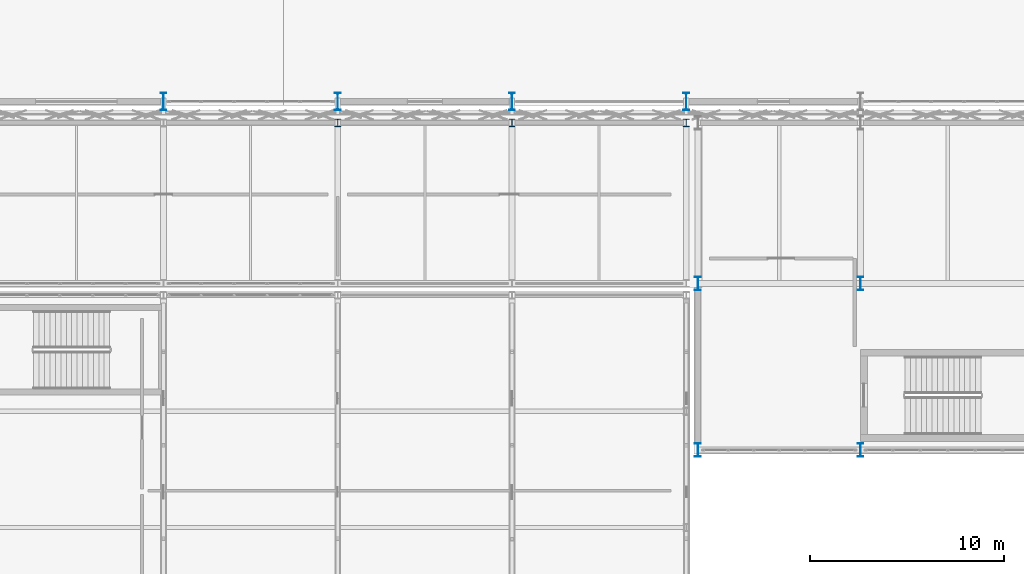
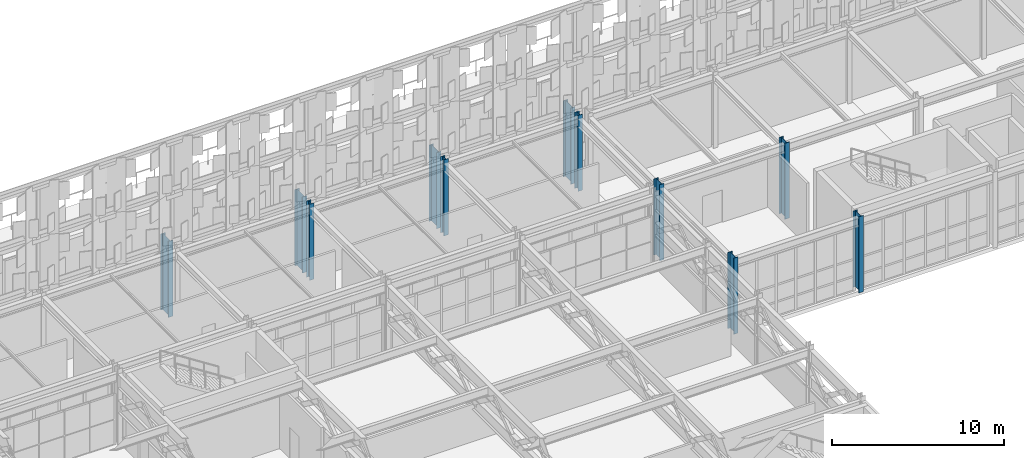
# One storey, part 4 of 210: 11 columns.
"""IFC4 building model written with IfcOpenShell, lengths in metres."""

from ifc_helpers import new_model, si_unit, direction, frame, origin, origin_2d, place, context, subcontext, project, spatial, i_section, extrude, material, material_profile, profile_set, type_object, element, save


model = new_model("IFC4")

# Units and contexts
model_context = context("Model", 3, precision=1e-05, world=origin(), true_north=direction((0.0, 1.0)))
body_context = subcontext(model_context, "Body", "Model", "MODEL_VIEW")
ifc_project = project(units=[si_unit("LENGTHUNIT", "METRE"), si_unit("AREAUNIT", "SQUARE_METRE"), si_unit("VOLUMEUNIT", "CUBIC_METRE"), si_unit("PLANEANGLEUNIT", "RADIAN"), si_unit("MASSUNIT", "GRAM", prefix="KILO")], contexts=[model_context])

# Site, building, storey
site_placement = place(None, origin())
site = spatial("IfcSite", under=ifc_project, at=site_placement, CompositionType="ELEMENT")
building_placement = place(site_placement, origin())
building = spatial("IfcBuilding", under=site, at=building_placement, Name="Kaldris Quays Convention Centre", CompositionType="ELEMENT")
storey_placement = place(building_placement, frame((0.0, 0.0, 6.0)))
storey = spatial("IfcBuildingStorey", under=building, at=storey_placement, Name="L01", CompositionType="ELEMENT", Elevation=6.0)

# Columns
ifc_material = material(Name="Steel S355J2", Category="steel")
ifc_material_profile_1 = material_profile(ifc_material, i_section(OverallWidth=0.300048828125, OverallDepth=0.89990234375, WebThickness=0.0185546875, FlangeThickness=0.034912109375, FilletRadius=0.030029296875, at=origin_2d()), Name="HEB 900")
ifc_profile_set_1 = profile_set([ifc_material_profile_1], Name="Steel S355J2")
column_type_1 = type_object("IfcColumnType", Name="STRUCTURAL COLUMN CL03", PredefinedType="COLUMN", material=ifc_profile_set_1)
for number, where, z_axis, x_axis, name in (
    (1, (56.0, 56.0, 0.0), (0.0, 0.0, 1.0), (1.0, 0.0, 0.0), "L01 V1 Column CL03 (56.00, 56.00)"),
    (2, (65.0, 56.0, 0.0), (0.0, 0.0, 1.0), (1.0, 0.0, 0.0), "L01 V1 Column CL03 (65.00, 56.00)"),
    (3, (74.0, 56.0, 0.0), (0.0, 0.0, 1.0), (1.0, 0.0, 0.0), "L01 V1 Column CL03 (74.00, 56.00)"),
    (4, (83.0, 56.0, 0.0), (0.0, 0.0, 1.0), (1.0, 0.0, 0.0), "L01 V1 Column CL03 (83.00, 56.00)"),
):
    element("IfcColumn", number, at=place(storey_placement, frame(where, z_axis=z_axis, x_axis=x_axis)), inside=storey, type_object=column_type_1, Name=name, PredefinedType="COLUMN", context=body_context, shape_type="SweptSolid", body=[
        extrude(i_section(OverallWidth=0.300048828125, OverallDepth=0.89990234375, WebThickness=0.0185546875, FlangeThickness=0.034912109375, FilletRadius=0.030029296875, at=origin_2d()), origin(), (0.0, 0.0, 1.0), 5.39990234375),
    ])
ifc_material_profile_2 = material_profile(ifc_material, i_section(OverallWidth=0.300048828125, OverallDepth=0.699951171875, WebThickness=0.01708984375, FlangeThickness=0.031982421875, FilletRadius=0.027099609375, at=origin_2d()), Name="HEB 700")
ifc_profile_set_2 = profile_set([ifc_material_profile_2], Name="Steel S355J2")
column_type_2 = type_object("IfcColumnType", Name="STRUCTURAL COLUMN CL05", PredefinedType="COLUMN", material=ifc_profile_set_2)
for number, where, z_axis, x_axis, name in (
    (5, (83.60009765625, 38.0, 0.0), (0.0, 0.0, 1.0), (1.0, 0.0, 0.0), "L01 V4 Column CL05 (83.60, 38.00)"),
    (6, (83.60009765625, 46.60009765625, 0.0), (0.0, 0.0, 1.0), (1.0, 0.0, 0.0), "L01 V4 Column CL05 (83.60, 46.60)"),
    (7, (92.0, 38.0, 0.0), (0.0, 0.0, 1.0), (1.0, 0.0, 0.0), "L01 V4 Column CL05 (92.00, 38.00)"),
    (8, (92.0, 46.60009765625, 0.0), (0.0, 0.0, 1.0), (1.0, 0.0, 0.0), "L01 V4 Column CL05 (92.00, 46.60)"),
):
    element("IfcColumn", number, at=place(storey_placement, frame(where, z_axis=z_axis, x_axis=x_axis)), inside=storey, type_object=column_type_2, Name=name, PredefinedType="COLUMN", context=body_context, shape_type="SweptSolid", body=[
        extrude(i_section(OverallWidth=0.300048828125, OverallDepth=0.699951171875, WebThickness=0.01708984375, FlangeThickness=0.031982421875, FilletRadius=0.027099609375, at=origin_2d()), origin(), (0.0, 0.0, 1.0), 5.39990234375),
    ])
ifc_material_profile_3 = material_profile(ifc_material, i_section(OverallWidth=0.300048828125, OverallDepth=0.389892578125, WebThickness=0.010986328125, FlangeThickness=0.01904296875, FilletRadius=0.027099609375, at=origin_2d()), Name="HEA 400")
ifc_profile_set_3 = profile_set([ifc_material_profile_3], Name="Steel S355J2")
column_type_3 = type_object("IfcColumnType", Name="STRUCTURAL COLUMN CL12", PredefinedType="COLUMN", material=ifc_profile_set_3)
for number, where, z_axis, x_axis, name in (
    (9, (65.0, 54.89990234375, 0.0), (0.0, 0.0, 1.0), (1.0, 0.0, 0.0), "L01 V4 Column CL12 (65.00, 54.90)"),
    (10, (74.0, 54.89990234375, 0.0), (0.0, 0.0, 1.0), (1.0, 0.0, 0.0), "L01 V4 Column CL12 (74.00, 54.90)"),
    (11, (83.0, 54.89990234375, 0.0), (0.0, 0.0, 1.0), (1.0, 0.0, 0.0), "L01 V4 Column CL12 (83.00, 54.90)"),
):
    element("IfcColumn", number, at=place(storey_placement, frame(where, z_axis=z_axis, x_axis=x_axis)), inside=storey, type_object=column_type_3, Name=name, PredefinedType="COLUMN", context=body_context, shape_type="SweptSolid", body=[
        extrude(i_section(OverallWidth=0.300048828125, OverallDepth=0.389892578125, WebThickness=0.010986328125, FlangeThickness=0.01904296875, FilletRadius=0.027099609375, at=origin_2d()), origin(), (0.0, 0.0, 1.0), 5.39990234375),
    ])

save(model, "model.ifc")
